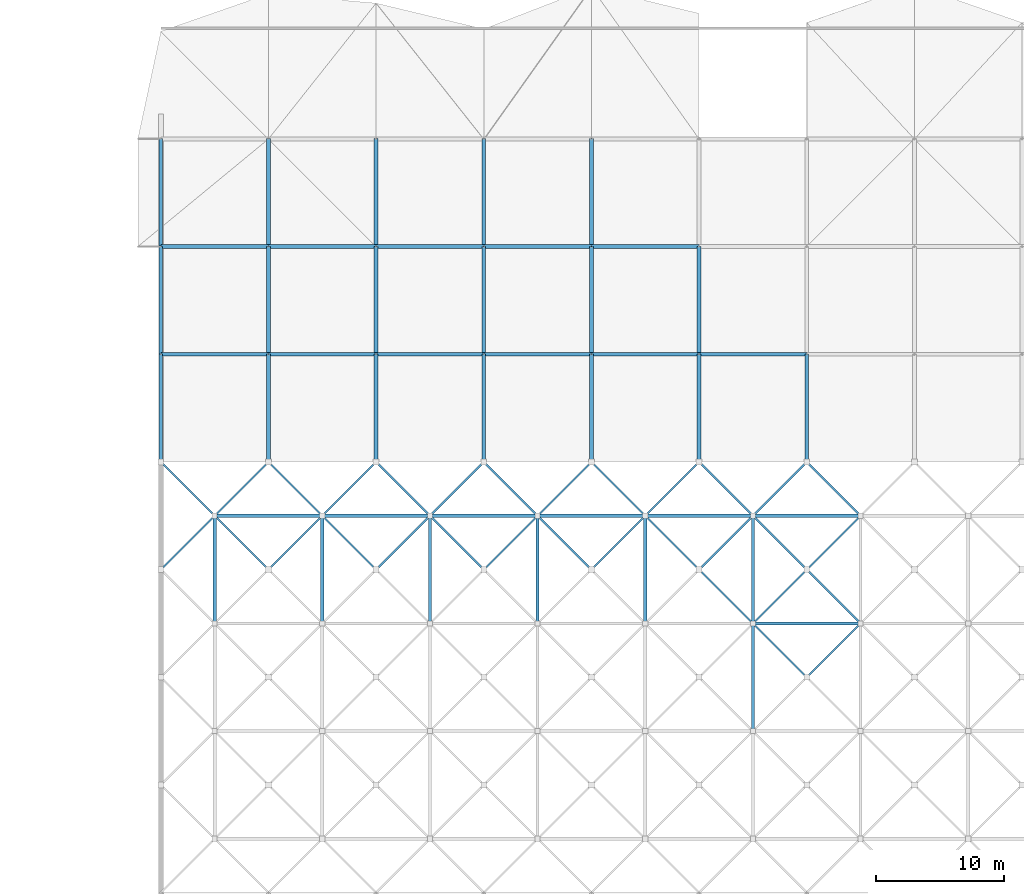
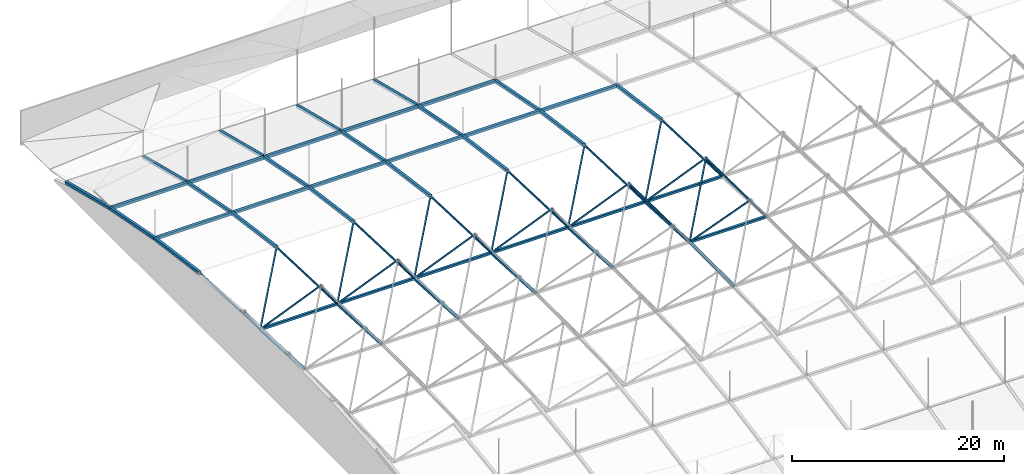
# One storey, part 6 of 111: 74 members.
"""IFC4 building model written with IfcOpenShell, lengths in metres."""

from ifc_helpers import new_model, si_unit, direction, frame, origin, origin_2d, place, context, subcontext, project, spatial, hollow_rectangle, extrude, material, material_profile, profile_set, type_object, element, save


model = new_model("IFC4")

# Units and contexts
model_context = context("Model", 3, precision=1e-05, world=origin(), true_north=direction((0.0, 1.0)))
body_context = subcontext(model_context, "Body", "Model", "MODEL_VIEW")
ifc_project = project(units=[si_unit("LENGTHUNIT", "METRE"), si_unit("AREAUNIT", "SQUARE_METRE"), si_unit("VOLUMEUNIT", "CUBIC_METRE"), si_unit("PLANEANGLEUNIT", "RADIAN"), si_unit("MASSUNIT", "GRAM", prefix="KILO")], contexts=[model_context])

# Site, building, storey
site_placement = place(None, origin())
site = spatial("IfcSite", under=ifc_project, at=site_placement, CompositionType="ELEMENT")
building_placement = place(site_placement, origin())
building = spatial("IfcBuilding", under=site, at=building_placement, Name="Rain Tree Exposition and Congress Centre", CompositionType="ELEMENT")
storey_placement = place(building_placement, frame((0.0, 0.0, 19.5)))
storey = spatial("IfcBuildingStorey", under=building, at=storey_placement, Name="RF", CompositionType="ELEMENT", Elevation=19.5)

# Members
ifc_material_1 = material(Name="Steel S355J2H", Category="steel")
ifc_material_profile_1 = material_profile(ifc_material_1, hollow_rectangle(XDim=0.14990234375, YDim=0.14990234375, WallThickness=0.00439453125, at=origin_2d()), Name="RHS 150x150x4.5")
ifc_profile_set_1 = profile_set([ifc_material_profile_1], Name="Steel S355J2H")
member_type_1 = type_object("IfcMemberType", Name="Steel brace member RHS 150x150x4.5", PredefinedType="BRACE", material=ifc_profile_set_1)
member_1_placement = place(storey_placement, frame((54.60009765625, 155.39990234375, 0.84326171875), z_axis=(0.501386241307, -0.501386241307, 0.705140889507), x_axis=(0.707106781187, 0.707106781187, 0.0)))
element("IfcMember", 1, at=member_1_placement, inside=storey, type_object=member_type_1, Name="Diagonal 892", PredefinedType="BRACE", context=body_context, shape_type="SweptSolid", body=[
    extrude(hollow_rectangle(XDim=0.14990234375, YDim=0.14990234375, WallThickness=0.00439453125, at=origin_2d()), origin(), (0.0, 0.0, 1.0), 8.376708984375),
])
member_2_placement = place(storey_placement, frame((54.60009765625, 155.39990234375, 0.84326171875), z_axis=(-0.511082512606, 0.511082512606, 0.691078382397), x_axis=(-0.707106781187, -0.707106781187, 0.0)))
element("IfcMember", 2, at=member_2_placement, inside=storey, type_object=member_type_1, Name="Diagonal 893", PredefinedType="BRACE", context=body_context, shape_type="SweptSolid", body=[
    extrude(hollow_rectangle(XDim=0.14990234375, YDim=0.14990234375, WallThickness=0.00439453125, at=origin_2d()), origin(), (0.0, 0.0, 1.0), 8.21826171875),
])
member_3_placement = place(storey_placement, frame((54.60009765625, 155.39990234375, 0.84326171875), z_axis=(0.511060564592, 0.511090272234, 0.691088874854), x_axis=(-0.707127332136, 0.70708622964, 0.0)))
element("IfcMember", 3, at=member_3_placement, inside=storey, type_object=member_type_1, Name="Diagonal 894", PredefinedType="BRACE", context=body_context, shape_type="SweptSolid", body=[
    extrude(hollow_rectangle(XDim=0.14990234375, YDim=0.14990234375, WallThickness=0.00439453125, at=origin_2d()), origin(), (0.0, 0.0, 1.0), 8.218017578125),
])
member_4_placement = place(storey_placement, frame((63.0, 155.39990234375, 0.84326171875), z_axis=(-0.501386241307, -0.501386241307, 0.705140889507), x_axis=(0.707106781187, -0.707106781187, 0.0)))
element("IfcMember", 4, at=member_4_placement, inside=storey, type_object=member_type_1, Name="Diagonal 897", PredefinedType="BRACE", context=body_context, shape_type="SweptSolid", body=[
    extrude(hollow_rectangle(XDim=0.14990234375, YDim=0.14990234375, WallThickness=0.00439453125, at=origin_2d()), origin(), (0.0, 0.0, 1.0), 8.376708984375),
])
member_5_placement = place(storey_placement, frame((63.0, 155.39990234375, 0.84326171875), z_axis=(-0.511060564592, 0.511090272234, 0.691088874854), x_axis=(-0.707127332136, -0.70708622964, 0.0)))
element("IfcMember", 5, at=member_5_placement, inside=storey, type_object=member_type_1, Name="Diagonal 899", PredefinedType="BRACE", context=body_context, shape_type="SweptSolid", body=[
    extrude(hollow_rectangle(XDim=0.14990234375, YDim=0.14990234375, WallThickness=0.00439453125, at=origin_2d()), origin(), (0.0, 0.0, 1.0), 8.218017578125),
])
member_6_placement = place(storey_placement, frame((12.60009765625, 163.800048828125, 0.38818359375), z_axis=(-0.491886905994, -0.491858314567, 0.718416780221), x_axis=(0.70708622964, -0.707127332136, 0.0)))
element("IfcMember", 6, at=member_6_placement, inside=storey, type_object=member_type_1, Name="Diagonal 944", PredefinedType="BRACE", context=body_context, shape_type="SweptSolid", body=[
    extrude(hollow_rectangle(XDim=0.14990234375, YDim=0.14990234375, WallThickness=0.00439453125, at=origin_2d()), origin(), (0.0, 0.0, 1.0), 8.5390625),
])
member_7_placement = place(storey_placement, frame((12.60009765625, 163.800048828125, 0.38818359375), z_axis=(0.491865231884, -0.491865231884, 0.718426883773), x_axis=(0.707106781187, 0.707106781187, 0.0)))
element("IfcMember", 7, at=member_7_placement, inside=storey, type_object=member_type_1, Name="Diagonal 945", PredefinedType="BRACE", context=body_context, shape_type="SweptSolid", body=[
    extrude(hollow_rectangle(XDim=0.14990234375, YDim=0.14990234375, WallThickness=0.00439453125, at=origin_2d()), origin(), (0.0, 0.0, 1.0), 8.538818359375),
])
for number, where, z_axis, x_axis, name in (
    (8, (12.60009765625, 163.800048828125, 0.38818359375), (-0.520994783804, 0.520964500452, 0.676136394907), (-0.70708622964, -0.707127332136, 0.0), "Diagonal 946"),
    (9, (12.60009765625, 163.800048828125, 0.38818359375), (0.520972719908, 0.520972719908, 0.67614706257), (-0.707106781187, 0.707106781187, 0.0), "Diagonal 947"),
):
    element("IfcMember", number, at=place(storey_placement, frame(where, z_axis=z_axis, x_axis=x_axis)), inside=storey, type_object=member_type_1, Name=name, PredefinedType="BRACE", context=body_context, shape_type="SweptSolid", body=[
        extrude(hollow_rectangle(XDim=0.14990234375, YDim=0.14990234375, WallThickness=0.00439453125, at=origin_2d()), origin(), (0.0, 0.0, 1.0), 8.061767578125),
    ])
for number, where, z_axis, x_axis, name in (
    (10, (21.0, 163.800048828125, 0.38818359375), (-0.491865231884, -0.491865231884, 0.718426883773), (0.707106781187, -0.707106781187, 0.0), "Diagonal 950"),
    (11, (21.0, 163.800048828125, 0.38818359375), (0.491865231884, -0.491865231884, 0.718426883773), (0.707106781187, 0.707106781187, 0.0), "Diagonal 951"),
):
    element("IfcMember", number, at=place(storey_placement, frame(where, z_axis=z_axis, x_axis=x_axis)), inside=storey, type_object=member_type_1, Name=name, PredefinedType="BRACE", context=body_context, shape_type="SweptSolid", body=[
        extrude(hollow_rectangle(XDim=0.14990234375, YDim=0.14990234375, WallThickness=0.00439453125, at=origin_2d()), origin(), (0.0, 0.0, 1.0), 8.538818359375),
    ])
for number, where, z_axis, x_axis, name in (
    (12, (21.0, 163.800048828125, 0.38818359375), (-0.520972719908, 0.520972719908, 0.67614706257), (-0.707106781187, -0.707106781187, 0.0), "Diagonal 952"),
    (13, (21.0, 163.800048828125, 0.38818359375), (0.520972719908, 0.520972719908, 0.67614706257), (-0.707106781187, 0.707106781187, 0.0), "Diagonal 953"),
):
    element("IfcMember", number, at=place(storey_placement, frame(where, z_axis=z_axis, x_axis=x_axis)), inside=storey, type_object=member_type_1, Name=name, PredefinedType="BRACE", context=body_context, shape_type="SweptSolid", body=[
        extrude(hollow_rectangle(XDim=0.14990234375, YDim=0.14990234375, WallThickness=0.00439453125, at=origin_2d()), origin(), (0.0, 0.0, 1.0), 8.061767578125),
    ])
member_8_placement = place(storey_placement, frame((29.39990234375, 163.800048828125, 0.38818359375), z_axis=(-0.491865231884, -0.491865231884, 0.718426883773), x_axis=(0.707106781187, -0.707106781187, 0.0)))
element("IfcMember", 14, at=member_8_placement, inside=storey, type_object=member_type_1, Name="Diagonal 956", PredefinedType="BRACE", context=body_context, shape_type="SweptSolid", body=[
    extrude(hollow_rectangle(XDim=0.14990234375, YDim=0.14990234375, WallThickness=0.00439453125, at=origin_2d()), origin(), (0.0, 0.0, 1.0), 8.538818359375),
])
member_9_placement = place(storey_placement, frame((29.39990234375, 163.800048828125, 0.38818359375), z_axis=(0.491886905994, -0.491858314567, 0.718416780221), x_axis=(0.70708622964, 0.707127332136, 0.0)))
element("IfcMember", 15, at=member_9_placement, inside=storey, type_object=member_type_1, Name="Diagonal 957", PredefinedType="BRACE", context=body_context, shape_type="SweptSolid", body=[
    extrude(hollow_rectangle(XDim=0.14990234375, YDim=0.14990234375, WallThickness=0.00439453125, at=origin_2d()), origin(), (0.0, 0.0, 1.0), 8.5390625),
])
for number, where, z_axis, x_axis, name in (
    (16, (29.39990234375, 163.800048828125, 0.38818359375), (-0.520972719908, 0.520972719908, 0.67614706257), (-0.707106781187, -0.707106781187, 0.0), "Diagonal 958"),
    (17, (29.39990234375, 163.800048828125, 0.38818359375), (0.520994783804, 0.520964500452, 0.676136394907), (-0.70708622964, 0.707127332136, 0.0), "Diagonal 959"),
):
    element("IfcMember", number, at=place(storey_placement, frame(where, z_axis=z_axis, x_axis=x_axis)), inside=storey, type_object=member_type_1, Name=name, PredefinedType="BRACE", context=body_context, shape_type="SweptSolid", body=[
        extrude(hollow_rectangle(XDim=0.14990234375, YDim=0.14990234375, WallThickness=0.00439453125, at=origin_2d()), origin(), (0.0, 0.0, 1.0), 8.061767578125),
    ])
for number, where, z_axis, x_axis, name in (
    (18, (37.800048828125, 163.800048828125, 0.38818359375), (-0.491865231884, -0.491865231884, 0.718426883773), (0.707106781187, -0.707106781187, 0.0), "Diagonal 962"),
    (19, (37.800048828125, 163.800048828125, 0.38818359375), (0.491865231884, -0.491865231884, 0.718426883773), (0.707106781187, 0.707106781187, 0.0), "Diagonal 963"),
):
    element("IfcMember", number, at=place(storey_placement, frame(where, z_axis=z_axis, x_axis=x_axis)), inside=storey, type_object=member_type_1, Name=name, PredefinedType="BRACE", context=body_context, shape_type="SweptSolid", body=[
        extrude(hollow_rectangle(XDim=0.14990234375, YDim=0.14990234375, WallThickness=0.00439453125, at=origin_2d()), origin(), (0.0, 0.0, 1.0), 8.538818359375),
    ])
for number, where, z_axis, x_axis, name in (
    (20, (37.800048828125, 163.800048828125, 0.38818359375), (-0.520972719908, 0.520972719908, 0.67614706257), (-0.707106781187, -0.707106781187, 0.0), "Diagonal 964"),
    (21, (37.800048828125, 163.800048828125, 0.38818359375), (0.520972719908, 0.520972719908, 0.67614706257), (-0.707106781187, 0.707106781187, 0.0), "Diagonal 965"),
):
    element("IfcMember", number, at=place(storey_placement, frame(where, z_axis=z_axis, x_axis=x_axis)), inside=storey, type_object=member_type_1, Name=name, PredefinedType="BRACE", context=body_context, shape_type="SweptSolid", body=[
        extrude(hollow_rectangle(XDim=0.14990234375, YDim=0.14990234375, WallThickness=0.00439453125, at=origin_2d()), origin(), (0.0, 0.0, 1.0), 8.061767578125),
    ])
for number, where, z_axis, x_axis, name in (
    (22, (46.199951171875, 163.800048828125, 0.38818359375), (-0.491865231884, -0.491865231884, 0.718426883773), (0.707106781187, -0.707106781187, 0.0), "Diagonal 968"),
    (23, (46.199951171875, 163.800048828125, 0.38818359375), (0.491865231884, -0.491865231884, 0.718426883773), (0.707106781187, 0.707106781187, 0.0), "Diagonal 969"),
):
    element("IfcMember", number, at=place(storey_placement, frame(where, z_axis=z_axis, x_axis=x_axis)), inside=storey, type_object=member_type_1, Name=name, PredefinedType="BRACE", context=body_context, shape_type="SweptSolid", body=[
        extrude(hollow_rectangle(XDim=0.14990234375, YDim=0.14990234375, WallThickness=0.00439453125, at=origin_2d()), origin(), (0.0, 0.0, 1.0), 8.538818359375),
    ])
for number, where, z_axis, x_axis, name in (
    (24, (46.199951171875, 163.800048828125, 0.38818359375), (-0.520972719908, 0.520972719908, 0.67614706257), (-0.707106781187, -0.707106781187, 0.0), "Diagonal 970"),
    (25, (46.199951171875, 163.800048828125, 0.38818359375), (0.520972719908, 0.520972719908, 0.67614706257), (-0.707106781187, 0.707106781187, 0.0), "Diagonal 971"),
):
    element("IfcMember", number, at=place(storey_placement, frame(where, z_axis=z_axis, x_axis=x_axis)), inside=storey, type_object=member_type_1, Name=name, PredefinedType="BRACE", context=body_context, shape_type="SweptSolid", body=[
        extrude(hollow_rectangle(XDim=0.14990234375, YDim=0.14990234375, WallThickness=0.00439453125, at=origin_2d()), origin(), (0.0, 0.0, 1.0), 8.061767578125),
    ])
member_10_placement = place(storey_placement, frame((54.60009765625, 163.800048828125, 0.38818359375), z_axis=(-0.491886905994, -0.491858314567, 0.718416780221), x_axis=(0.70708622964, -0.707127332136, 0.0)))
element("IfcMember", 26, at=member_10_placement, inside=storey, type_object=member_type_1, Name="Diagonal 974", PredefinedType="BRACE", context=body_context, shape_type="SweptSolid", body=[
    extrude(hollow_rectangle(XDim=0.14990234375, YDim=0.14990234375, WallThickness=0.00439453125, at=origin_2d()), origin(), (0.0, 0.0, 1.0), 8.5390625),
])
member_11_placement = place(storey_placement, frame((54.60009765625, 163.800048828125, 0.38818359375), z_axis=(0.491865231884, -0.491865231884, 0.718426883773), x_axis=(0.707106781187, 0.707106781187, 0.0)))
element("IfcMember", 27, at=member_11_placement, inside=storey, type_object=member_type_1, Name="Diagonal 975", PredefinedType="BRACE", context=body_context, shape_type="SweptSolid", body=[
    extrude(hollow_rectangle(XDim=0.14990234375, YDim=0.14990234375, WallThickness=0.00439453125, at=origin_2d()), origin(), (0.0, 0.0, 1.0), 8.538818359375),
])
for number, where, z_axis, x_axis, name in (
    (28, (54.60009765625, 163.800048828125, 0.38818359375), (-0.520994783804, 0.520964500452, 0.676136394907), (-0.70708622964, -0.707127332136, 0.0), "Diagonal 976"),
    (29, (54.60009765625, 163.800048828125, 0.38818359375), (0.520972719908, 0.520972719908, 0.67614706257), (-0.707106781187, 0.707106781187, 0.0), "Diagonal 977"),
):
    element("IfcMember", number, at=place(storey_placement, frame(where, z_axis=z_axis, x_axis=x_axis)), inside=storey, type_object=member_type_1, Name=name, PredefinedType="BRACE", context=body_context, shape_type="SweptSolid", body=[
        extrude(hollow_rectangle(XDim=0.14990234375, YDim=0.14990234375, WallThickness=0.00439453125, at=origin_2d()), origin(), (0.0, 0.0, 1.0), 8.061767578125),
    ])
member_12_placement = place(storey_placement, frame((63.0, 163.800048828125, 0.38818359375), z_axis=(-0.491865231884, -0.491865231884, 0.718426883773), x_axis=(0.707106781187, -0.707106781187, 0.0)))
element("IfcMember", 30, at=member_12_placement, inside=storey, type_object=member_type_1, Name="Diagonal 980", PredefinedType="BRACE", context=body_context, shape_type="SweptSolid", body=[
    extrude(hollow_rectangle(XDim=0.14990234375, YDim=0.14990234375, WallThickness=0.00439453125, at=origin_2d()), origin(), (0.0, 0.0, 1.0), 8.538818359375),
])
member_13_placement = place(storey_placement, frame((63.0, 163.800048828125, 0.38818359375), z_axis=(-0.520972719908, 0.520972719908, 0.67614706257), x_axis=(-0.707106781187, -0.707106781187, 0.0)))
element("IfcMember", 31, at=member_13_placement, inside=storey, type_object=member_type_1, Name="Diagonal 982", PredefinedType="BRACE", context=body_context, shape_type="SweptSolid", body=[
    extrude(hollow_rectangle(XDim=0.14990234375, YDim=0.14990234375, WallThickness=0.00439453125, at=origin_2d()), origin(), (0.0, 0.0, 1.0), 8.061767578125),
])
ifc_material_2 = material(Name="Steel S355J2H", Category="steel")
ifc_material_profile_2 = material_profile(ifc_material_2, hollow_rectangle(XDim=0.25, YDim=0.25, WallThickness=0.006103515625, at=origin_2d()), Name="RHS 250x250x6")
ifc_profile_set_2 = profile_set([ifc_material_profile_2], Name="Steel S355J2H")
member_type_2 = type_object("IfcMemberType", Name="Steel chord member RHS 250x250x6", PredefinedType="CHORD", material=ifc_profile_set_2)
member_14_placement = place(storey_placement, frame((54.60009765625, 147.0, 0.84326171875), z_axis=(0.0, 1.0, 0.0), x_axis=(-1.0, 0.0, 0.0)))
element("IfcMember", 32, at=member_14_placement, inside=storey, type_object=member_type_2, Name="Bottom chord 813", PredefinedType="CHORD", context=body_context, shape_type="SweptSolid", body=[
    extrude(hollow_rectangle(XDim=0.25, YDim=0.25, WallThickness=0.006103515625, at=origin_2d()), origin(), (0.0, 0.0, 1.0), 8.39990234375),
])
for number, where, z_axis, x_axis, name in (
    (33, (12.60009765625, 155.39990234375, 0.84326171875), (0.0, 0.998535755774, -0.054095697061), (-1.0, 0.0, 0.0), "Bottom chord 866"),
    (34, (21.0, 155.39990234375, 0.84326171875), (0.0, 0.998535755774, -0.054095697061), (-1.0, 0.0, 0.0), "Bottom chord 872"),
    (35, (29.39990234375, 155.39990234375, 0.84326171875), (0.0, 0.998535755774, -0.054095697061), (-1.0, 0.0, 0.0), "Bottom chord 878"),
    (36, (37.800048828125, 155.39990234375, 0.84326171875), (0.0, 0.998535755774, -0.054095697061), (-1.0, 0.0, 0.0), "Bottom chord 884"),
    (37, (46.199951171875, 155.39990234375, 0.84326171875), (0.0, 0.998535755774, -0.054095697061), (-1.0, 0.0, 0.0), "Bottom chord 890"),
):
    element("IfcMember", number, at=place(storey_placement, frame(where, z_axis=z_axis, x_axis=x_axis)), inside=storey, type_object=member_type_2, Name=name, PredefinedType="CHORD", context=body_context, shape_type="SweptSolid", body=[
        extrude(hollow_rectangle(XDim=0.25, YDim=0.25, WallThickness=0.006103515625, at=origin_2d()), origin(), (0.0, 0.0, 1.0), 8.412353515625),
    ])
member_15_placement = place(storey_placement, frame((54.60009765625, 155.39990234375, 0.84326171875), z_axis=(1.0, 0.0, 0.0), x_axis=(0.0, 1.0, 0.0)))
element("IfcMember", 38, at=member_15_placement, inside=storey, type_object=member_type_2, Name="Bottom chord 895", PredefinedType="CHORD", context=body_context, shape_type="SweptSolid", body=[
    extrude(hollow_rectangle(XDim=0.25, YDim=0.25, WallThickness=0.006103515625, at=origin_2d()), origin(), (0.0, 0.0, 1.0), 8.39990234375),
])
member_16_placement = place(storey_placement, frame((54.60009765625, 155.39990234375, 0.84326171875), z_axis=(0.0, 0.998535755774, -0.054095697061), x_axis=(-1.0, 0.0, 0.0)))
element("IfcMember", 39, at=member_16_placement, inside=storey, type_object=member_type_2, Name="Bottom chord 896", PredefinedType="CHORD", context=body_context, shape_type="SweptSolid", body=[
    extrude(hollow_rectangle(XDim=0.25, YDim=0.25, WallThickness=0.006103515625, at=origin_2d()), origin(), (0.0, 0.0, 1.0), 8.412353515625),
])
for number, where, z_axis, x_axis, name in (
    (40, (12.60009765625, 163.800048828125, 0.38818359375), (1.0, 0.0, 0.0), (0.0, 1.0, 0.0), "Bottom chord 948"),
    (41, (21.0, 163.800048828125, 0.38818359375), (1.0, 0.0, 0.0), (0.0, 1.0, 0.0), "Bottom chord 954"),
):
    element("IfcMember", number, at=place(storey_placement, frame(where, z_axis=z_axis, x_axis=x_axis)), inside=storey, type_object=member_type_2, Name=name, PredefinedType="CHORD", context=body_context, shape_type="SweptSolid", body=[
        extrude(hollow_rectangle(XDim=0.25, YDim=0.25, WallThickness=0.006103515625, at=origin_2d()), origin(), (0.0, 0.0, 1.0), 8.39990234375),
    ])
member_17_placement = place(storey_placement, frame((29.39990234375, 163.800048828125, 0.38818359375), z_axis=(1.0, 0.0, 0.0), x_axis=(0.0, 1.0, 0.0)))
element("IfcMember", 42, at=member_17_placement, inside=storey, type_object=member_type_2, Name="Bottom chord 960", PredefinedType="CHORD", context=body_context, shape_type="SweptSolid", body=[
    extrude(hollow_rectangle(XDim=0.25, YDim=0.25, WallThickness=0.006103515625, at=origin_2d()), origin(), (0.0, 0.0, 1.0), 8.400146484375),
])
member_18_placement = place(storey_placement, frame((37.800048828125, 163.800048828125, 0.38818359375), z_axis=(1.0, 0.0, 0.0), x_axis=(0.0, 1.0, 0.0)))
element("IfcMember", 43, at=member_18_placement, inside=storey, type_object=member_type_2, Name="Bottom chord 966", PredefinedType="CHORD", context=body_context, shape_type="SweptSolid", body=[
    extrude(hollow_rectangle(XDim=0.25, YDim=0.25, WallThickness=0.006103515625, at=origin_2d()), origin(), (0.0, 0.0, 1.0), 8.39990234375),
])
member_19_placement = place(storey_placement, frame((46.199951171875, 163.800048828125, 0.38818359375), z_axis=(1.0, 0.0, 0.0), x_axis=(0.0, 1.0, 0.0)))
element("IfcMember", 44, at=member_19_placement, inside=storey, type_object=member_type_2, Name="Bottom chord 972", PredefinedType="CHORD", context=body_context, shape_type="SweptSolid", body=[
    extrude(hollow_rectangle(XDim=0.25, YDim=0.25, WallThickness=0.006103515625, at=origin_2d()), origin(), (0.0, 0.0, 1.0), 8.400146484375),
])
member_20_placement = place(storey_placement, frame((54.60009765625, 163.800048828125, 0.38818359375), z_axis=(1.0, 0.0, 0.0), x_axis=(0.0, 1.0, 0.0)))
element("IfcMember", 45, at=member_20_placement, inside=storey, type_object=member_type_2, Name="Bottom chord 978", PredefinedType="CHORD", context=body_context, shape_type="SweptSolid", body=[
    extrude(hollow_rectangle(XDim=0.25, YDim=0.25, WallThickness=0.006103515625, at=origin_2d()), origin(), (0.0, 0.0, 1.0), 8.39990234375),
])
ifc_material_3 = material(Name="Steel S355J2H", Category="steel")
ifc_material_profile_3 = material_profile(ifc_material_3, hollow_rectangle(XDim=0.300048828125, YDim=0.300048828125, WallThickness=0.009033203125, at=origin_2d()), Name="RHS 300x300x9")
ifc_profile_set_3 = profile_set([ifc_material_profile_3], Name="Steel S355J2H")
member_type_3 = type_object("IfcMemberType", Name="Steel chord member RHS 300x300x9", PredefinedType="CHORD", material=ifc_profile_set_3)
member_21_placement = place(storey_placement, frame((8.39990234375, 176.39990234375, 4.693115234375), z_axis=(1.0, 0.0, 0.0), x_axis=(0.0, 1.0, 0.0)))
element("IfcMember", 46, at=member_21_placement, inside=storey, type_object=member_type_3, Name="Top chord 127", PredefinedType="CHORD", context=body_context, shape_type="SweptSolid", body=[
    extrude(hollow_rectangle(XDim=0.300048828125, YDim=0.300048828125, WallThickness=0.009033203125, at=origin_2d()), origin(), (0.0, 0.0, 1.0), 8.400146484375),
])
member_22_placement = place(storey_placement, frame((16.800048828125, 176.39990234375, 4.693115234375), z_axis=(1.0, 0.0, 0.0), x_axis=(0.0, 1.0, 0.0)))
element("IfcMember", 47, at=member_22_placement, inside=storey, type_object=member_type_3, Name="Top chord 128", PredefinedType="CHORD", context=body_context, shape_type="SweptSolid", body=[
    extrude(hollow_rectangle(XDim=0.300048828125, YDim=0.300048828125, WallThickness=0.009033203125, at=origin_2d()), origin(), (0.0, 0.0, 1.0), 8.39990234375),
])
member_23_placement = place(storey_placement, frame((25.199951171875, 176.39990234375, 4.693115234375), z_axis=(1.0, 0.0, 0.0), x_axis=(0.0, 1.0, 0.0)))
element("IfcMember", 48, at=member_23_placement, inside=storey, type_object=member_type_3, Name="Top chord 129", PredefinedType="CHORD", context=body_context, shape_type="SweptSolid", body=[
    extrude(hollow_rectangle(XDim=0.300048828125, YDim=0.300048828125, WallThickness=0.009033203125, at=origin_2d()), origin(), (0.0, 0.0, 1.0), 8.400146484375),
])
for number, where, z_axis, x_axis, name in (
    (49, (33.60009765625, 176.39990234375, 4.693115234375), (1.0, 0.0, 0.0), (0.0, 1.0, 0.0), "Top chord 130"),
    (50, (42.0, 176.39990234375, 4.693115234375), (1.0, 0.0, 0.0), (0.0, 1.0, 0.0), "Top chord 131"),
):
    element("IfcMember", number, at=place(storey_placement, frame(where, z_axis=z_axis, x_axis=x_axis)), inside=storey, type_object=member_type_3, Name=name, PredefinedType="CHORD", context=body_context, shape_type="SweptSolid", body=[
        extrude(hollow_rectangle(XDim=0.300048828125, YDim=0.300048828125, WallThickness=0.009033203125, at=origin_2d()), origin(), (0.0, 0.0, 1.0), 8.39990234375),
    ])
for number, where, z_axis, x_axis, name in (
    (51, (50.39990234375, 176.39990234375, 4.693115234375), (1.0, 0.0, 0.0), (0.0, 1.0, 0.0), "Top chord 132"),
    (52, (8.39990234375, 184.800048828125, 3.07421875), (1.0, 0.0, 0.0), (0.0, 1.0, 0.0), "Top chord 141"),
):
    element("IfcMember", number, at=place(storey_placement, frame(where, z_axis=z_axis, x_axis=x_axis)), inside=storey, type_object=member_type_3, Name=name, PredefinedType="CHORD", context=body_context, shape_type="SweptSolid", body=[
        extrude(hollow_rectangle(XDim=0.300048828125, YDim=0.300048828125, WallThickness=0.009033203125, at=origin_2d()), origin(), (0.0, 0.0, 1.0), 8.400146484375),
    ])
member_24_placement = place(storey_placement, frame((16.800048828125, 184.800048828125, 3.07421875), z_axis=(1.0, 0.0, 0.0), x_axis=(0.0, 1.0, 0.0)))
element("IfcMember", 53, at=member_24_placement, inside=storey, type_object=member_type_3, Name="Top chord 142", PredefinedType="CHORD", context=body_context, shape_type="SweptSolid", body=[
    extrude(hollow_rectangle(XDim=0.300048828125, YDim=0.300048828125, WallThickness=0.009033203125, at=origin_2d()), origin(), (0.0, 0.0, 1.0), 8.39990234375),
])
member_25_placement = place(storey_placement, frame((25.199951171875, 184.800048828125, 3.07421875), z_axis=(1.0, 0.0, 0.0), x_axis=(0.0, 1.0, 0.0)))
element("IfcMember", 54, at=member_25_placement, inside=storey, type_object=member_type_3, Name="Top chord 143", PredefinedType="CHORD", context=body_context, shape_type="SweptSolid", body=[
    extrude(hollow_rectangle(XDim=0.300048828125, YDim=0.300048828125, WallThickness=0.009033203125, at=origin_2d()), origin(), (0.0, 0.0, 1.0), 8.400146484375),
])
for number, where, z_axis, x_axis, name in (
    (55, (33.60009765625, 184.800048828125, 3.07421875), (1.0, 0.0, 0.0), (0.0, 1.0, 0.0), "Top chord 144"),
    (56, (42.0, 184.800048828125, 3.07421875), (1.0, 0.0, 0.0), (0.0, 1.0, 0.0), "Top chord 145"),
):
    element("IfcMember", number, at=place(storey_placement, frame(where, z_axis=z_axis, x_axis=x_axis)), inside=storey, type_object=member_type_3, Name=name, PredefinedType="CHORD", context=body_context, shape_type="SweptSolid", body=[
        extrude(hollow_rectangle(XDim=0.300048828125, YDim=0.300048828125, WallThickness=0.009033203125, at=origin_2d()), origin(), (0.0, 0.0, 1.0), 8.39990234375),
    ])
member_26_placement = place(storey_placement, frame((8.39990234375, 168.0, 5.839111328125), z_axis=(0.0, 0.990821403915, -0.135177459454), x_axis=(-1.0, 0.0, 0.0)))
element("IfcMember", 57, at=member_26_placement, inside=storey, type_object=member_type_3, Name="Top chord 191", PredefinedType="CHORD", context=body_context, shape_type="SweptSolid", body=[
    extrude(hollow_rectangle(XDim=0.300048828125, YDim=0.300048828125, WallThickness=0.009033203125, at=origin_2d()), origin(), (0.0, 0.0, 1.0), 8.477783203125),
])
member_27_placement = place(storey_placement, frame((8.39990234375, 176.39990234375, 4.693115234375), z_axis=(0.0, 0.981930848806, -0.189240080752), x_axis=(-1.0, 0.0, 0.0)))
element("IfcMember", 58, at=member_27_placement, inside=storey, type_object=member_type_3, Name="Top chord 192", PredefinedType="CHORD", context=body_context, shape_type="SweptSolid", body=[
    extrude(hollow_rectangle(XDim=0.300048828125, YDim=0.300048828125, WallThickness=0.009033203125, at=origin_2d()), origin(), (0.0, 0.0, 1.0), 8.5546875),
])
member_28_placement = place(storey_placement, frame((8.39990234375, 184.800048828125, 3.07421875), z_axis=(0.0, 0.969939850681, -0.24334478844), x_axis=(-1.0, 0.0, 0.0)))
element("IfcMember", 59, at=member_28_placement, inside=storey, type_object=member_type_3, Name="Top chord 193", PredefinedType="CHORD", context=body_context, shape_type="SweptSolid", body=[
    extrude(hollow_rectangle(XDim=0.300048828125, YDim=0.300048828125, WallThickness=0.009033203125, at=origin_2d()), origin(), (0.0, 0.0, 1.0), 8.66015625),
])
member_29_placement = place(storey_placement, frame((16.800048828125, 168.0, 5.839111328125), z_axis=(0.0, 0.990821403915, -0.135177459454), x_axis=(-1.0, 0.0, 0.0)))
element("IfcMember", 60, at=member_29_placement, inside=storey, type_object=member_type_3, Name="Top chord 203", PredefinedType="CHORD", context=body_context, shape_type="SweptSolid", body=[
    extrude(hollow_rectangle(XDim=0.300048828125, YDim=0.300048828125, WallThickness=0.009033203125, at=origin_2d()), origin(), (0.0, 0.0, 1.0), 8.477783203125),
])
member_30_placement = place(storey_placement, frame((16.800048828125, 176.39990234375, 4.693115234375), z_axis=(0.0, 0.981930848806, -0.189240080752), x_axis=(-1.0, 0.0, 0.0)))
element("IfcMember", 61, at=member_30_placement, inside=storey, type_object=member_type_3, Name="Top chord 204", PredefinedType="CHORD", context=body_context, shape_type="SweptSolid", body=[
    extrude(hollow_rectangle(XDim=0.300048828125, YDim=0.300048828125, WallThickness=0.009033203125, at=origin_2d()), origin(), (0.0, 0.0, 1.0), 8.5546875),
])
member_31_placement = place(storey_placement, frame((16.800048828125, 184.800048828125, 3.07421875), z_axis=(0.0, 0.969939850681, -0.24334478844), x_axis=(-1.0, 0.0, 0.0)))
element("IfcMember", 62, at=member_31_placement, inside=storey, type_object=member_type_3, Name="Top chord 205", PredefinedType="CHORD", context=body_context, shape_type="SweptSolid", body=[
    extrude(hollow_rectangle(XDim=0.300048828125, YDim=0.300048828125, WallThickness=0.009033203125, at=origin_2d()), origin(), (0.0, 0.0, 1.0), 8.66015625),
])
member_32_placement = place(storey_placement, frame((25.199951171875, 168.0, 5.839111328125), z_axis=(0.0, 0.990821403915, -0.135177459454), x_axis=(-1.0, 0.0, 0.0)))
element("IfcMember", 63, at=member_32_placement, inside=storey, type_object=member_type_3, Name="Top chord 215", PredefinedType="CHORD", context=body_context, shape_type="SweptSolid", body=[
    extrude(hollow_rectangle(XDim=0.300048828125, YDim=0.300048828125, WallThickness=0.009033203125, at=origin_2d()), origin(), (0.0, 0.0, 1.0), 8.477783203125),
])
member_33_placement = place(storey_placement, frame((25.199951171875, 176.39990234375, 4.693115234375), z_axis=(0.0, 0.981930848806, -0.189240080752), x_axis=(-1.0, 0.0, 0.0)))
element("IfcMember", 64, at=member_33_placement, inside=storey, type_object=member_type_3, Name="Top chord 216", PredefinedType="CHORD", context=body_context, shape_type="SweptSolid", body=[
    extrude(hollow_rectangle(XDim=0.300048828125, YDim=0.300048828125, WallThickness=0.009033203125, at=origin_2d()), origin(), (0.0, 0.0, 1.0), 8.5546875),
])
member_34_placement = place(storey_placement, frame((25.199951171875, 184.800048828125, 3.07421875), z_axis=(0.0, 0.969939850681, -0.24334478844), x_axis=(-1.0, 0.0, 0.0)))
element("IfcMember", 65, at=member_34_placement, inside=storey, type_object=member_type_3, Name="Top chord 217", PredefinedType="CHORD", context=body_context, shape_type="SweptSolid", body=[
    extrude(hollow_rectangle(XDim=0.300048828125, YDim=0.300048828125, WallThickness=0.009033203125, at=origin_2d()), origin(), (0.0, 0.0, 1.0), 8.66015625),
])
member_35_placement = place(storey_placement, frame((33.60009765625, 168.0, 5.839111328125), z_axis=(0.0, 0.990821403915, -0.135177459454), x_axis=(-1.0, 0.0, 0.0)))
element("IfcMember", 66, at=member_35_placement, inside=storey, type_object=member_type_3, Name="Top chord 227", PredefinedType="CHORD", context=body_context, shape_type="SweptSolid", body=[
    extrude(hollow_rectangle(XDim=0.300048828125, YDim=0.300048828125, WallThickness=0.009033203125, at=origin_2d()), origin(), (0.0, 0.0, 1.0), 8.477783203125),
])
member_36_placement = place(storey_placement, frame((33.60009765625, 176.39990234375, 4.693115234375), z_axis=(0.0, 0.981930848806, -0.189240080752), x_axis=(-1.0, 0.0, 0.0)))
element("IfcMember", 67, at=member_36_placement, inside=storey, type_object=member_type_3, Name="Top chord 228", PredefinedType="CHORD", context=body_context, shape_type="SweptSolid", body=[
    extrude(hollow_rectangle(XDim=0.300048828125, YDim=0.300048828125, WallThickness=0.009033203125, at=origin_2d()), origin(), (0.0, 0.0, 1.0), 8.5546875),
])
member_37_placement = place(storey_placement, frame((33.60009765625, 184.800048828125, 3.07421875), z_axis=(0.0, 0.969939850681, -0.24334478844), x_axis=(-1.0, 0.0, 0.0)))
element("IfcMember", 68, at=member_37_placement, inside=storey, type_object=member_type_3, Name="Top chord 229", PredefinedType="CHORD", context=body_context, shape_type="SweptSolid", body=[
    extrude(hollow_rectangle(XDim=0.300048828125, YDim=0.300048828125, WallThickness=0.009033203125, at=origin_2d()), origin(), (0.0, 0.0, 1.0), 8.66015625),
])
member_38_placement = place(storey_placement, frame((42.0, 168.0, 5.839111328125), z_axis=(0.0, 0.990821403915, -0.135177459454), x_axis=(-1.0, 0.0, 0.0)))
element("IfcMember", 69, at=member_38_placement, inside=storey, type_object=member_type_3, Name="Top chord 239", PredefinedType="CHORD", context=body_context, shape_type="SweptSolid", body=[
    extrude(hollow_rectangle(XDim=0.300048828125, YDim=0.300048828125, WallThickness=0.009033203125, at=origin_2d()), origin(), (0.0, 0.0, 1.0), 8.477783203125),
])
member_39_placement = place(storey_placement, frame((42.0, 176.39990234375, 4.693115234375), z_axis=(0.0, 0.981930848806, -0.189240080752), x_axis=(-1.0, 0.0, 0.0)))
element("IfcMember", 70, at=member_39_placement, inside=storey, type_object=member_type_3, Name="Top chord 240", PredefinedType="CHORD", context=body_context, shape_type="SweptSolid", body=[
    extrude(hollow_rectangle(XDim=0.300048828125, YDim=0.300048828125, WallThickness=0.009033203125, at=origin_2d()), origin(), (0.0, 0.0, 1.0), 8.5546875),
])
member_40_placement = place(storey_placement, frame((42.0, 184.800048828125, 3.07421875), z_axis=(0.0, 0.969939850681, -0.24334478844), x_axis=(-1.0, 0.0, 0.0)))
element("IfcMember", 71, at=member_40_placement, inside=storey, type_object=member_type_3, Name="Top chord 241", PredefinedType="CHORD", context=body_context, shape_type="SweptSolid", body=[
    extrude(hollow_rectangle(XDim=0.300048828125, YDim=0.300048828125, WallThickness=0.009033203125, at=origin_2d()), origin(), (0.0, 0.0, 1.0), 8.66015625),
])
member_41_placement = place(storey_placement, frame((50.39990234375, 168.0, 5.839111328125), z_axis=(0.0, 0.990821403915, -0.135177459454), x_axis=(-1.0, 0.0, 0.0)))
element("IfcMember", 72, at=member_41_placement, inside=storey, type_object=member_type_3, Name="Top chord 251", PredefinedType="CHORD", context=body_context, shape_type="SweptSolid", body=[
    extrude(hollow_rectangle(XDim=0.300048828125, YDim=0.300048828125, WallThickness=0.009033203125, at=origin_2d()), origin(), (0.0, 0.0, 1.0), 8.477783203125),
])
member_42_placement = place(storey_placement, frame((50.39990234375, 176.39990234375, 4.693115234375), z_axis=(0.0, 0.981930848806, -0.189240080752), x_axis=(-1.0, 0.0, 0.0)))
element("IfcMember", 73, at=member_42_placement, inside=storey, type_object=member_type_3, Name="Top chord 252", PredefinedType="CHORD", context=body_context, shape_type="SweptSolid", body=[
    extrude(hollow_rectangle(XDim=0.300048828125, YDim=0.300048828125, WallThickness=0.009033203125, at=origin_2d()), origin(), (0.0, 0.0, 1.0), 8.5546875),
])
member_43_placement = place(storey_placement, frame((58.800048828125, 168.0, 5.839111328125), z_axis=(0.0, 0.990821403915, -0.135177459454), x_axis=(-1.0, 0.0, 0.0)))
element("IfcMember", 74, at=member_43_placement, inside=storey, type_object=member_type_3, Name="Top chord 263", PredefinedType="CHORD", context=body_context, shape_type="SweptSolid", body=[
    extrude(hollow_rectangle(XDim=0.300048828125, YDim=0.300048828125, WallThickness=0.009033203125, at=origin_2d()), origin(), (0.0, 0.0, 1.0), 8.477783203125),
])

save(model, "model.ifc")
